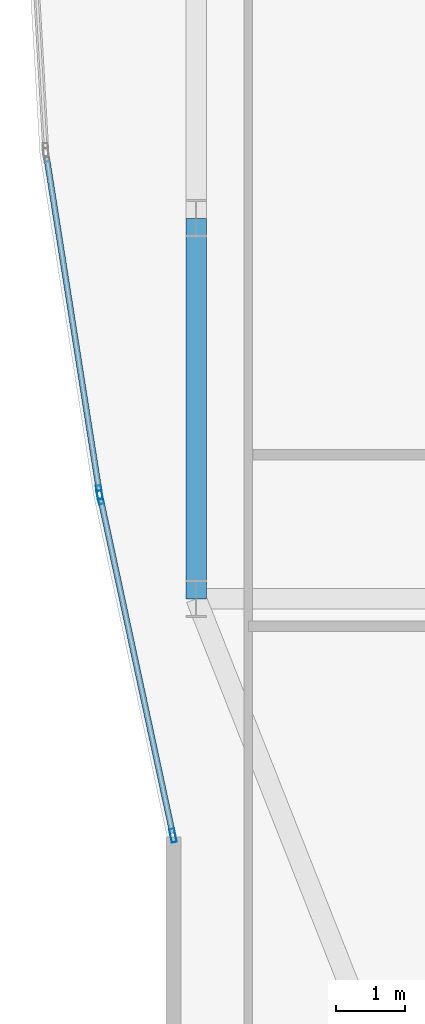
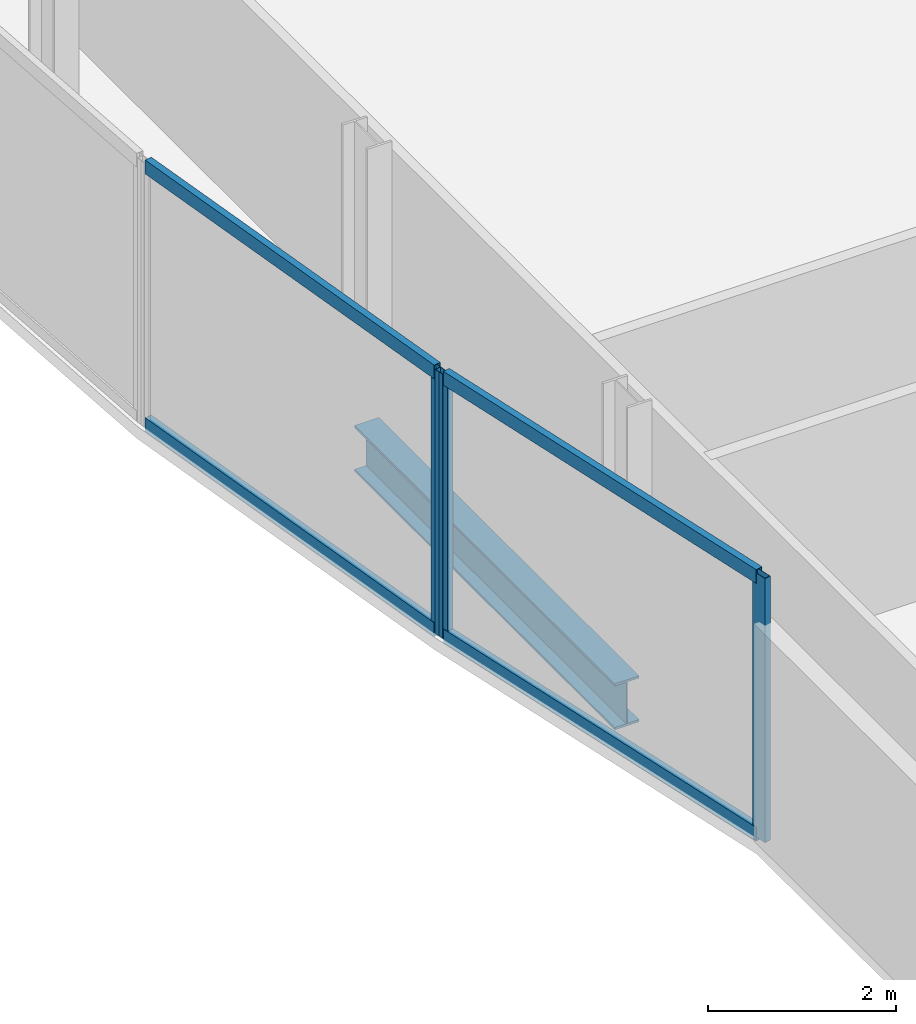
# One storey, part 6 of 32: 7 members, 1 beam, 2 elements without a shape of their own.
"""IFC4 building model written with IfcOpenShell, lengths in metres."""

from ifc_helpers import new_model, si_unit, direction, frame, origin, origin_2d, place, context, subcontext, project, spatial, hollow_rectangle, i_section, extrude, material, material_profile, profile_set, type_object, element, aggregate, save


model = new_model("IFC4")

# Units and contexts
model_context = context("Model", 3, precision=1e-05, world=origin(), true_north=direction((0.0, 1.0)))
body_context = subcontext(model_context, "Body", "Model", "MODEL_VIEW")
ifc_project = project(units=[si_unit("LENGTHUNIT", "METRE"), si_unit("AREAUNIT", "SQUARE_METRE"), si_unit("VOLUMEUNIT", "CUBIC_METRE"), si_unit("PLANEANGLEUNIT", "RADIAN"), si_unit("MASSUNIT", "GRAM", prefix="KILO")], contexts=[model_context])

# Site, building, storey
site_placement = place(None, origin())
site = spatial("IfcSite", under=ifc_project, at=site_placement, CompositionType="ELEMENT")
building_placement = place(site_placement, origin())
building = spatial("IfcBuilding", under=site, at=building_placement, Name="Khoronbel Lancet Exchange", CompositionType="ELEMENT")
storey_placement = place(building_placement, frame((0.0, 0.0, 111.0)))
storey = spatial("IfcBuildingStorey", under=building, at=storey_placement, Name="L26", CompositionType="ELEMENT", Elevation=111.0)

# Beam
ifc_material_1 = material(Name="Steel S355", Category="steel")
ifc_material_profile_1 = material_profile(ifc_material_1, i_section(OverallWidth=0.300048828125, OverallDepth=0.60009765625, WebThickness=0.015380859375, FlangeThickness=0.030029296875, at=origin_2d()), Name="HEB 600")
ifc_profile_set_1 = profile_set([ifc_material_profile_1], Name="Steel S355")
beam_type = type_object("IfcBeamType", Name="BM-BSP2", PredefinedType="SPANDREL", material=ifc_profile_set_1)
beam_placement = place(storey_placement, frame((3.27001953125, 24.75, -0.4599609375), z_axis=(0.0, -1.0, 0.0), x_axis=(1.0, 0.0, 0.0)))
element("IfcBeam", 1, at=beam_placement, inside=storey, type_object=beam_type, Name="Level L26 perimeter spandrel beam SP20", PredefinedType="SPANDREL", context=body_context, shape_type="SweptSolid", body=[
    extrude(i_section(OverallWidth=0.300048828125, OverallDepth=0.60009765625, WebThickness=0.015380859375, FlangeThickness=0.030029296875, at=origin_2d()), origin(), (0.0, 0.0, 1.0), 5.550048828125),
])

# Curtain wall, members
ifc_material_2 = material(Name="Low-E Solar Control Insulating Glass", Category="glass")
curtain_wall_type = type_object("IfcCurtainWallType", Name="CW-4", PredefinedType="NOTDEFINED", material=ifc_material_2)
curtain_wall_1_placement = place(storey_placement, origin())
curtain_wall_1 = element("IfcCurtainWall", 2, at=curtain_wall_1_placement, inside=storey, type_object=curtain_wall_type, Name="Unitised curtain wall CW-L26-E04", PredefinedType="NOTDEFINED")
ifc_material_3 = material(Name="Bronze-Anodised Aluminium 6063-T6", Category="aluminium")
ifc_material_profile_2 = material_profile(ifc_material_3, hollow_rectangle(XDim=0.074951171875, YDim=0.199951171875, WallThickness=0.0048828125, at=origin_2d()), Name="ALU MULLION 75x200")
ifc_profile_set_2 = profile_set([ifc_material_profile_2], Name="Bronze-Anodised Aluminium 6063-T6")
member_type_1 = type_object("IfcMemberType", Name="MEM-CWM2", PredefinedType="MULLION", material=ifc_profile_set_2)
member_1_placement = place(storey_placement, frame((2.93212890625, 15.746337890625, 0.0), z_axis=(0.0, 0.0, 1.0), x_axis=(-0.977658451967, -0.210199789006, 0.0)))
member_1 = element("IfcMember", 3, at=member_1_placement, type_object=member_type_1, Name="CW4 mullion 1", PredefinedType="MULLION", context=body_context, shape_type="SweptSolid", body=[
    extrude(hollow_rectangle(XDim=0.074951171875, YDim=0.199951171875, WallThickness=0.0048828125, at=origin_2d()), origin(), (0.0, 0.0, 1.0), 3.43994140625),
])
member_2_placement = place(storey_placement, frame((1.871337890625, 20.679931640625, 0.0), z_axis=(0.0, 0.0, 1.0), x_axis=(-0.977658451967, -0.210199789006, 0.0)))
member_2 = element("IfcMember", 4, at=member_2_placement, type_object=member_type_1, Name="CW4 mullion 2", PredefinedType="MULLION", context=body_context, shape_type="SweptSolid", body=[
    extrude(hollow_rectangle(XDim=0.074951171875, YDim=0.199951171875, WallThickness=0.0048828125, at=origin_2d()), origin(), (0.0, 0.0, 1.0), 3.43994140625),
])

# Curtain wall, member
curtain_wall_2_placement = place(storey_placement, origin())
curtain_wall_2 = element("IfcCurtainWall", 5, at=curtain_wall_2_placement, inside=storey, type_object=curtain_wall_type, Name="Unitised curtain wall CW-L26-E05", PredefinedType="NOTDEFINED")
member_3_placement = place(storey_placement, frame((1.857666015625, 20.753662109375, 0.0), z_axis=(0.0, 0.0, 1.0), x_axis=(-0.987838563117, -0.155483031933, 0.0)))
member_3 = element("IfcMember", 6, at=member_3_placement, type_object=member_type_1, Name="CW4 mullion 1", PredefinedType="MULLION", context=body_context, shape_type="SweptSolid", body=[
    extrude(hollow_rectangle(XDim=0.074951171875, YDim=0.199951171875, WallThickness=0.0048828125, at=origin_2d()), origin(), (0.0, 0.0, 1.0), 3.43994140625),
])

# Member
ifc_material_profile_3 = material_profile(ifc_material_3, hollow_rectangle(XDim=0.0849609375, YDim=0.179931640625, WallThickness=0.0048828125, at=origin_2d()), Name="ALU TRANSOM 85x180")
ifc_profile_set_3 = profile_set([ifc_material_profile_3], Name="Bronze-Anodised Aluminium 6063-T6")
member_type_2 = type_object("IfcMemberType", Name="MEM-CWT1", PredefinedType="USERDEFINED", material=ifc_profile_set_3)
member_4_placement = place(storey_placement, frame((2.92431640625, 15.782958984375, 0.04248046875), z_axis=(-0.210243415551, 0.977649071097, 0.0), x_axis=(-0.977649071097, -0.210243415551, 0.0)))
member_4 = element("IfcMember", 7, at=member_4_placement, type_object=member_type_2, Name="CW4 transom 1.1", ObjectType="TRANSOM", PredefinedType="USERDEFINED", context=body_context, shape_type="SweptSolid", body=[
    extrude(hollow_rectangle(XDim=0.0849609375, YDim=0.179931640625, WallThickness=0.0048828125, at=origin_2d()), origin(), (0.0, 0.0, 1.0), 4.97119140625),
])

member_5_placement = place(storey_placement, frame((2.92431640625, 15.782958984375, 3.3974609375), z_axis=(-0.210243415551, 0.977649071097, 0.0), x_axis=(-0.977649071097, -0.210243415551, 0.0)))
member_5 = element("IfcMember", 8, at=member_5_placement, type_object=member_type_2, Name="CW4 transom 1.2", ObjectType="TRANSOM", PredefinedType="USERDEFINED", context=body_context, shape_type="SweptSolid", body=[
    extrude(hollow_rectangle(XDim=0.0849609375, YDim=0.179931640625, WallThickness=0.0048828125, at=origin_2d()), origin(), (0.0, 0.0, 1.0), 4.97119140625),
])

aggregate(curtain_wall_1, [member_1, member_2, member_4, member_5])

member_6_placement = place(storey_placement, frame((1.851806640625, 20.79052734375, 0.04248046875), z_axis=(-0.155456432672, 0.987842749399, 0.0), x_axis=(-0.987842749399, -0.155456432672, 0.0)))
member_6 = element("IfcMember", 9, at=member_6_placement, type_object=member_type_2, Name="CW4 transom 1.1", ObjectType="TRANSOM", PredefinedType="USERDEFINED", context=body_context, shape_type="SweptSolid", body=[
    extrude(hollow_rectangle(XDim=0.0849609375, YDim=0.179931640625, WallThickness=0.0048828125, at=origin_2d()), origin(), (0.0, 0.0, 1.0), 4.904541015625),
])

member_7_placement = place(storey_placement, frame((1.851806640625, 20.79052734375, 3.3974609375), z_axis=(-0.155456432672, 0.987842749399, 0.0), x_axis=(-0.987842749399, -0.155456432672, 0.0)))
member_7 = element("IfcMember", 10, at=member_7_placement, type_object=member_type_2, Name="CW4 transom 1.2", ObjectType="TRANSOM", PredefinedType="USERDEFINED", context=body_context, shape_type="SweptSolid", body=[
    extrude(hollow_rectangle(XDim=0.0849609375, YDim=0.179931640625, WallThickness=0.0048828125, at=origin_2d()), origin(), (0.0, 0.0, 1.0), 4.904541015625),
])

aggregate(curtain_wall_2, [member_3, member_6, member_7])

save(model, "model.ifc")
